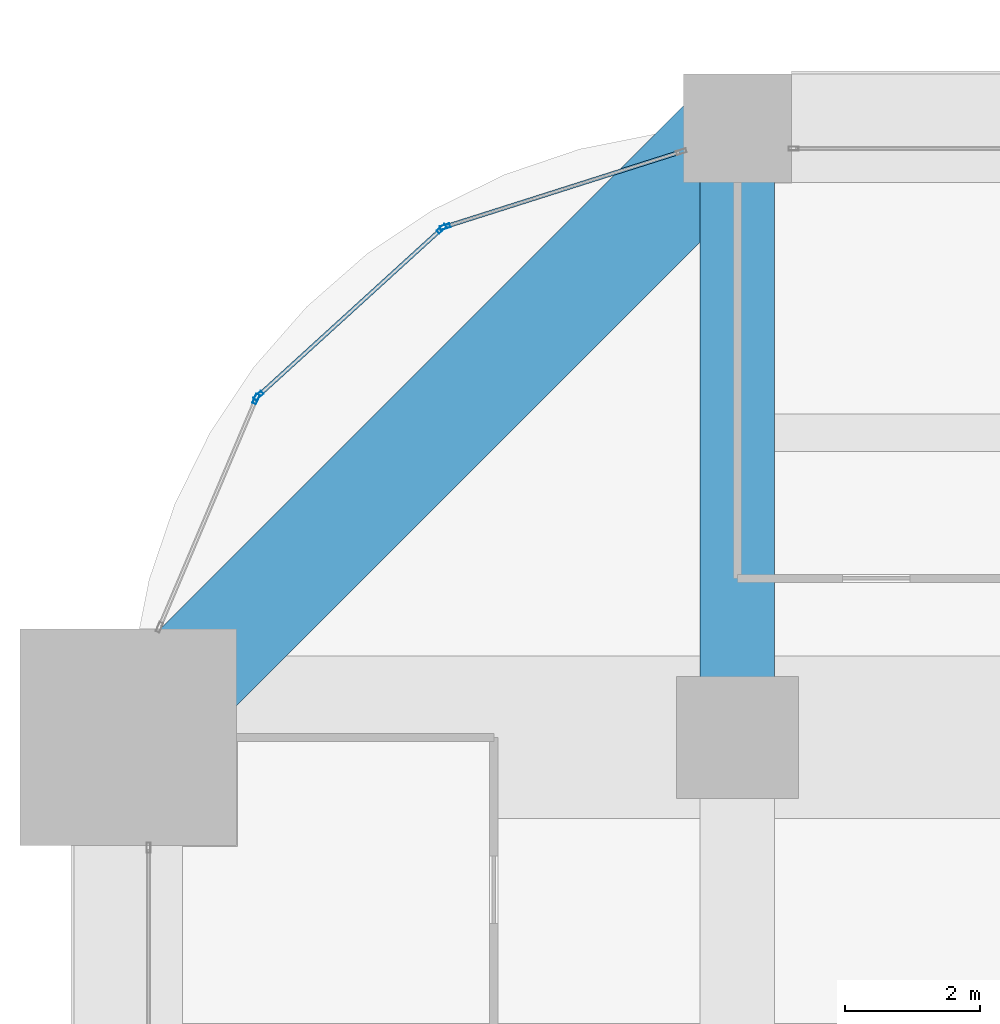
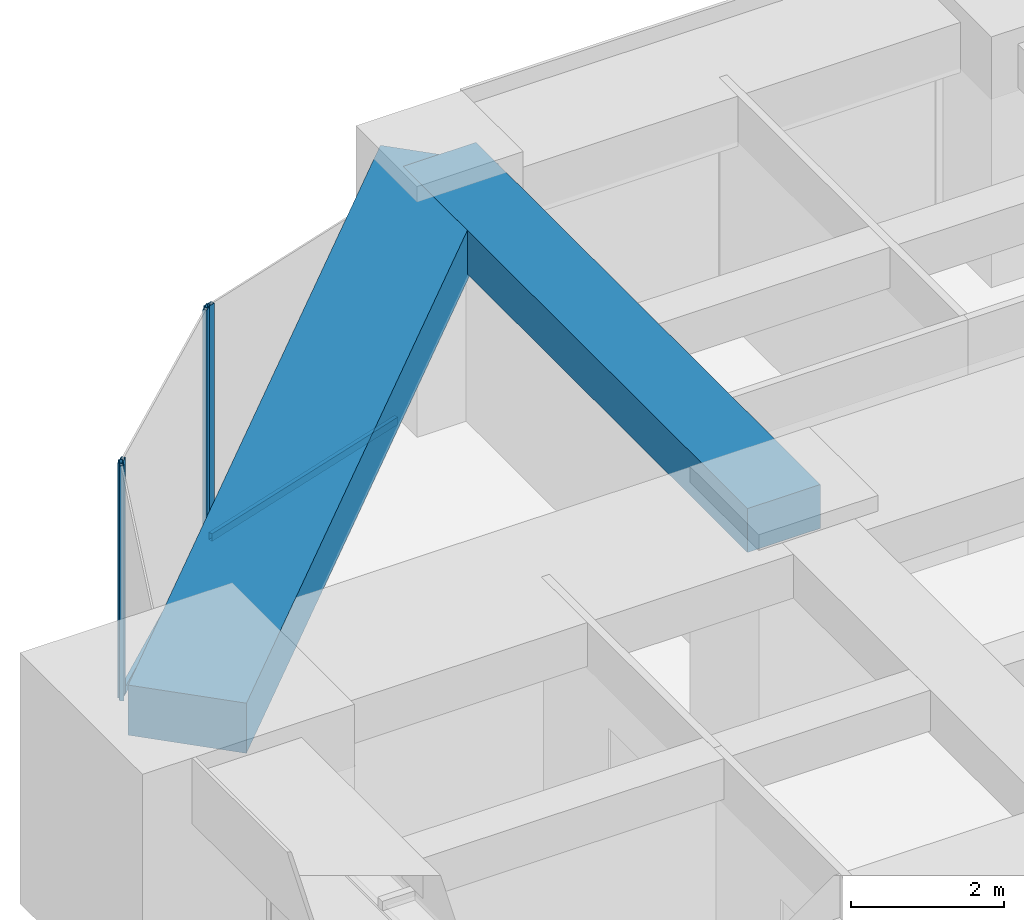
# One storey, part 22 of 36: 6 members, 2 beams, 3 elements without a shape of their own.
"""IFC4 building model written with IfcOpenShell, lengths in metres."""

from ifc_helpers import new_model, si_unit, direction, frame, origin, origin_2d, place, context, subcontext, project, spatial, rectangle, hollow_rectangle, extrude, material, material_profile, profile_set, type_object, element, aggregate, save


model = new_model("IFC4")

# Units and contexts
model_context = context("Model", 3, precision=1e-05, world=origin(), true_north=direction((0.0, 1.0)))
body_context = subcontext(model_context, "Body", "Model", "MODEL_VIEW")
ifc_project = project(units=[si_unit("LENGTHUNIT", "METRE"), si_unit("AREAUNIT", "SQUARE_METRE"), si_unit("VOLUMEUNIT", "CUBIC_METRE"), si_unit("PLANEANGLEUNIT", "RADIAN"), si_unit("MASSUNIT", "GRAM", prefix="KILO")], contexts=[model_context])

# Site, building, storey
site_placement = place(None, origin())
site = spatial("IfcSite", under=ifc_project, at=site_placement, CompositionType="ELEMENT")
building_placement = place(site_placement, origin())
building = spatial("IfcBuilding", under=site, at=building_placement, Name="Zorevar Civic Tower", CompositionType="ELEMENT")
storey_placement = place(building_placement, frame((0.0, 0.0, 166.199951171875)))
storey = spatial("IfcBuildingStorey", under=building, at=storey_placement, Name="L40", CompositionType="ELEMENT", Elevation=166.199951171875)

# Beam
ifc_material_1 = material(Name="Concrete C50/60", Category="concrete")
ifc_material_profile_1 = material_profile(ifc_material_1, rectangle(XDim=1.10009765625, YDim=0.699951171875, at=origin_2d()), Name="RC 1100x700")
ifc_profile_set_1 = profile_set([ifc_material_profile_1], Name="Concrete C50/60")
beam_type_1 = type_object("IfcBeamType", Name="Beam RC 1100x700", PredefinedType="BEAM", material=ifc_profile_set_1)
beam_1_placement = place(storey_placement, frame((9.0, 36.0, 3.400146484375), z_axis=(0.0, 1.0, 0.0), x_axis=(-1.0, 0.0, 0.0)))
element("IfcBeam", 1, at=beam_1_placement, inside=storey, type_object=beam_type_1, Name="Girder L41", PredefinedType="BEAM", context=body_context, shape_type="SweptSolid", body=[
    extrude(rectangle(XDim=1.10009765625, YDim=0.699951171875, at=origin_2d()), origin(), (0.0, 0.0, 1.0), 9.0),
])

# Curtain wall, member
ifc_material_2 = material(Name="Dark grey solar-control glass in black aluminium frame", Category="aluminium")
curtain_wall_type = type_object("IfcCurtainWallType", Name="Curtain wall CW4 high zone", PredefinedType="NOTDEFINED", material=ifc_material_2)
curtain_wall_1_placement = place(storey_placement, origin())
curtain_wall_1 = element("IfcCurtainWall", 2, at=curtain_wall_1_placement, inside=storey, type_object=curtain_wall_type, Name="CW4 L40", PredefinedType="NOTDEFINED")
ifc_material_3 = material(Name="Aluminium, black anodised", Category="aluminium")
ifc_material_profile_2 = material_profile(ifc_material_3, hollow_rectangle(XDim=0.06005859375, YDim=0.14990234375, WallThickness=0.00390625, at=origin_2d()), Name="AL 150x60x4")
ifc_profile_set_2 = profile_set([ifc_material_profile_2], Name="Aluminium, black anodised")
member_type_1 = type_object("IfcMemberType", Name="CW4 mullion AL 150x60x4", PredefinedType="MULLION", material=ifc_profile_set_2)
member_1_placement = place(storey_placement, frame((4.6806640625, 43.544677734375, 0.0), z_axis=(0.0, 0.0, 1.0), x_axis=(0.302858738154, -0.953035458272, 0.0)))
member_1 = element("IfcMember", 3, at=member_1_placement, type_object=member_type_1, Name="CW4 mullion 2", PredefinedType="MULLION", context=body_context, shape_type="SweptSolid", body=[
    extrude(hollow_rectangle(XDim=0.06005859375, YDim=0.14990234375, WallThickness=0.00390625, at=origin_2d()), origin(), (0.0, 0.0, 1.0), 3.75),
])

# Curtain wall, members
curtain_wall_2_placement = place(storey_placement, origin())
curtain_wall_2 = element("IfcCurtainWall", 4, at=curtain_wall_2_placement, inside=storey, type_object=curtain_wall_type, Name="CW4 L40", PredefinedType="NOTDEFINED")
member_2_placement = place(storey_placement, frame((4.6298828125, 43.515380859375, 0.0), z_axis=(0.0, 0.0, 1.0), x_axis=(0.673532686252, -0.739157439623, 0.0)))
member_2 = element("IfcMember", 5, at=member_2_placement, type_object=member_type_1, Name="CW4 mullion 1", PredefinedType="MULLION", context=body_context, shape_type="SweptSolid", body=[
    extrude(hollow_rectangle(XDim=0.06005859375, YDim=0.14990234375, WallThickness=0.00390625, at=origin_2d()), origin(), (0.0, 0.0, 1.0), 3.75),
])
member_3_placement = place(storey_placement, frame((1.92236328125, 41.04833984375, 0.0), z_axis=(0.0, 0.0, 1.0), x_axis=(0.673532686252, -0.739157439623, 0.0)))
member_3 = element("IfcMember", 6, at=member_3_placement, type_object=member_type_1, Name="CW4 mullion 2", PredefinedType="MULLION", context=body_context, shape_type="SweptSolid", body=[
    extrude(hollow_rectangle(XDim=0.06005859375, YDim=0.14990234375, WallThickness=0.00390625, at=origin_2d()), origin(), (0.0, 0.0, 1.0), 3.75),
])

# Curtain wall, member
curtain_wall_3_placement = place(storey_placement, origin())
curtain_wall_3 = element("IfcCurtainWall", 7, at=curtain_wall_3_placement, inside=storey, type_object=curtain_wall_type, Name="CW4 L40", PredefinedType="NOTDEFINED")
member_4_placement = place(storey_placement, frame((1.888427734375, 41.00048828125, 0.0), z_axis=(0.0, 0.0, 1.0), x_axis=(0.920829589054, -0.389965213734, 0.0)))
member_4 = element("IfcMember", 8, at=member_4_placement, type_object=member_type_1, Name="CW4 mullion 1", PredefinedType="MULLION", context=body_context, shape_type="SweptSolid", body=[
    extrude(hollow_rectangle(XDim=0.06005859375, YDim=0.14990234375, WallThickness=0.00390625, at=origin_2d()), origin(), (0.0, 0.0, 1.0), 3.75),
])
aggregate(curtain_wall_3, [member_4])

# Member
ifc_material_4 = material(Name="Aluminium, black anodised", Category="aluminium")
ifc_material_profile_3 = material_profile(ifc_material_4, hollow_rectangle(XDim=0.06005859375, YDim=0.1201171875, WallThickness=0.0029296875, at=origin_2d()), Name="AL 120x60x3")
ifc_profile_set_3 = profile_set([ifc_material_profile_3], Name="Aluminium, black anodised")
member_type_2 = type_object("IfcMemberType", Name="CW4 transom AL 120x60x3", PredefinedType="USERDEFINED", material=ifc_profile_set_3)
member_5_placement = place(storey_placement, frame((8.142822265625, 44.644775390625, 0.030029296875), z_axis=(-0.953041406307, -0.302840020249, 0.0), x_axis=(0.302840020249, -0.953041406307, 0.0)))
member_5 = element("IfcMember", 9, at=member_5_placement, type_object=member_type_2, Name="CW4 sill transom", ObjectType="TRANSOM", PredefinedType="USERDEFINED", context=body_context, shape_type="SweptSolid", body=[
    extrude(hollow_rectangle(XDim=0.06005859375, YDim=0.1201171875, WallThickness=0.0029296875, at=origin_2d()), origin(), (0.0, 0.0, 1.0), 3.602783203125),
])

aggregate(curtain_wall_1, [member_1, member_5])

member_6_placement = place(storey_placement, frame((4.607666015625, 43.4951171875, 0.030029296875), z_axis=(-0.739176095334, -0.673512212278, 0.0), x_axis=(0.673512212278, -0.739176095334, 0.0)))
member_6 = element("IfcMember", 10, at=member_6_placement, type_object=member_type_2, Name="CW4 sill transom", ObjectType="TRANSOM", PredefinedType="USERDEFINED", context=body_context, shape_type="SweptSolid", body=[
    extrude(hollow_rectangle(XDim=0.06005859375, YDim=0.1201171875, WallThickness=0.0029296875, at=origin_2d()), origin(), (0.0, 0.0, 1.0), 3.602783203125),
])

aggregate(curtain_wall_2, [member_2, member_3, member_6])

# Beam
ifc_material_5 = material(Name="Concrete C50/60", Category="concrete")
ifc_material_profile_4 = material_profile(ifc_material_5, rectangle(XDim=1.60009765625, YDim=0.800048828125, at=origin_2d()), Name="RC 1600x800")
ifc_profile_set_4 = profile_set([ifc_material_profile_4], Name="Concrete C50/60")
beam_type_2 = type_object("IfcBeamType", Name="Edge beam RC 1600x800", PredefinedType="SPANDREL", material=ifc_profile_set_4)
beam_2_placement = place(storey_placement, frame((9.0, 45.0, 3.35009765625), z_axis=(-0.707106781187, -0.707106781187, 0.0), x_axis=(0.707106781187, -0.707106781187, 0.0)))
element("IfcBeam", 11, at=beam_2_placement, inside=storey, type_object=beam_type_2, Name="Corner edge beam L41", PredefinedType="SPANDREL", context=body_context, shape_type="SweptSolid", body=[
    extrude(rectangle(XDim=1.60009765625, YDim=0.800048828125, at=origin_2d()), origin(), (0.0, 0.0, 1.0), 12.72802734375),
])

save(model, "model.ifc")
